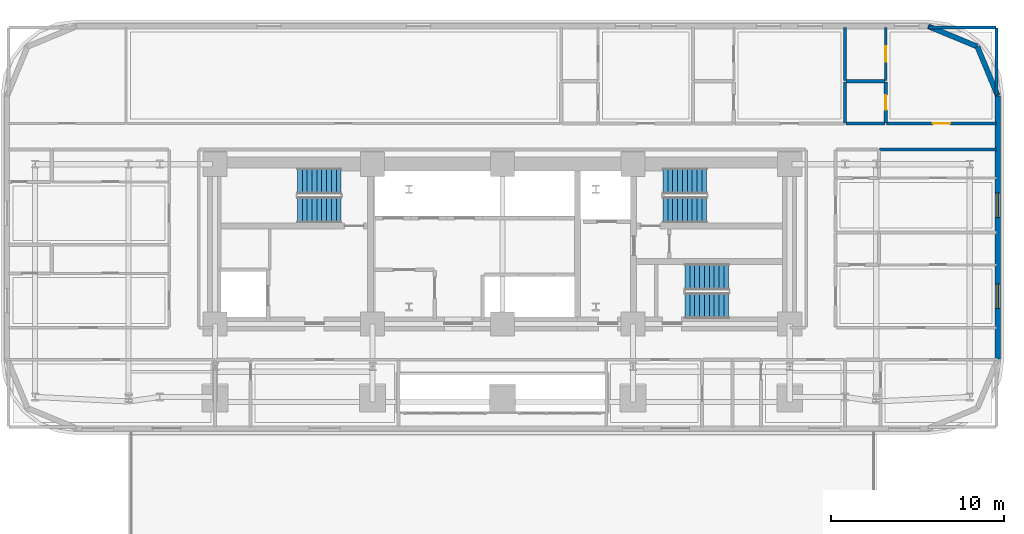
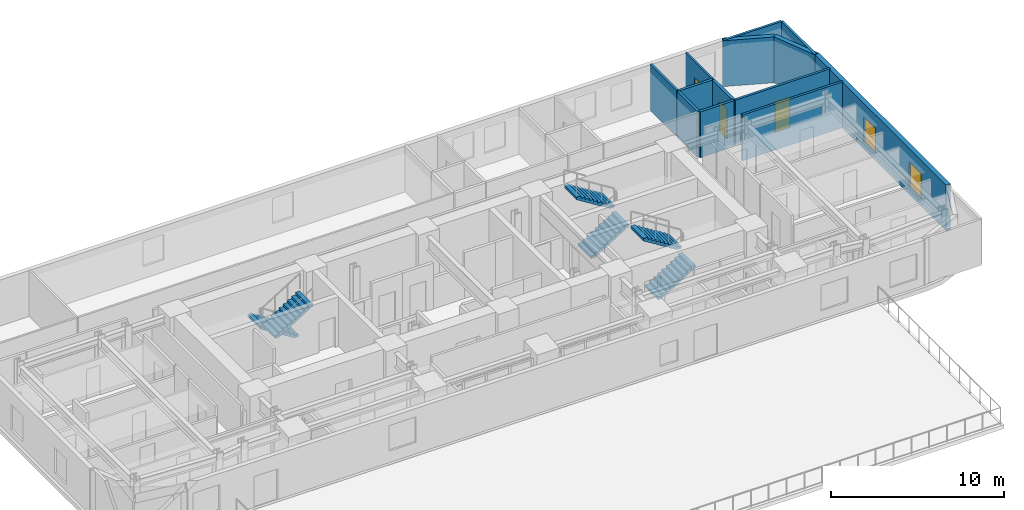
# One storey, part 11 of 15: 13 walls, 6 stair flights, 3 doors, 2 windows, 5 openings, 3 elements without a shape of their own.
"""IFC4 building model written with IfcOpenShell, lengths in metres."""

from ifc_helpers import new_model, si_unit, direction, frame, frame_2d, origin, place, context, subcontext, project, spatial, polyline, rectangle, outline, extrude, material, layer, layer_set, type_object, element, fill, aggregate, save


model = new_model("IFC4")

# Units and contexts
model_context = context("Model", 3, precision=1e-05, world=origin(), true_north=direction((0.0, 1.0)))
body_context = subcontext(model_context, "Body", "Model", "MODEL_VIEW")
ifc_project = project(units=[si_unit("LENGTHUNIT", "METRE"), si_unit("AREAUNIT", "SQUARE_METRE"), si_unit("VOLUMEUNIT", "CUBIC_METRE"), si_unit("PLANEANGLEUNIT", "RADIAN"), si_unit("MASSUNIT", "GRAM", prefix="KILO")], contexts=[model_context])

# Site, building, storey
site_placement = place(None, origin())
site = spatial("IfcSite", under=ifc_project, at=site_placement, CompositionType="ELEMENT")
building_placement = place(site_placement, origin())
building = spatial("IfcBuilding", under=site, at=building_placement, Name="Zarnavel Station Tower", CompositionType="ELEMENT")
storey_placement = place(building_placement, frame((0.0, 0.0, 29.0)))
storey = spatial("IfcBuildingStorey", under=building, at=storey_placement, Name="L07", CompositionType="ELEMENT", Elevation=29.0)

# Wall, openings, windows
ifc_material_1 = material(Name="Precast concrete C45/55 (Dark Basalt Finish)", Category="masonry")
ifc_layer_1 = layer(ifc_material_1, 0.300048828125)
ifc_layer_set_1 = layer_set([ifc_layer_1], Name="EW_BASALT_300")
wall_type_1 = type_object("IfcWallType", Name="EW_BASALT_300", PredefinedType="SOLIDWALL", material=ifc_layer_set_1)
wall_1_placement = place(storey_placement, frame((57.419921875, 41.0, 0.0), z_axis=(0.0, 0.0, 1.0), x_axis=(0.0, -1.0, 0.0)))
wall_1 = element("IfcWall", 1, at=wall_1_placement, inside=storey, type_object=wall_type_1, Name="L07 Exterior Basalt Masonry Frame Wall 03", PredefinedType="SOLIDWALL", context=body_context, shape_type="SweptSolid", body=[
    extrude(rectangle(XDim=15.199951171875, YDim=0.300048828125, at=frame_2d((7.60009765625, 0.0))), origin(), (0.0, 0.0, 1.0), 3.239990234375),
])
opening_1_placement = place(wall_1_placement, frame((10.882080078125, 0.0, 0.47998046875)))
opening_1 = element("IfcOpeningElement", 2, at=opening_1_placement, cuts=wall_1, Name="Opening WN01", PredefinedType="OPENING", context=body_context, shape_type="SweptSolid", body=[
    extrude(rectangle(XDim=1.39990234375, YDim=1.800048828125, at=frame_2d((0.699951171875, 0.89990234375))), frame((0.0, 0.159912109375, 0.0), z_axis=(0.0, -1.0, 0.0), x_axis=(1.0, 0.0, 0.0)), (0.0, 0.0, 1.0), 0.320068359375),
])
opening_2_placement = place(wall_1_placement, frame((5.62060546875, 0.0, 0.47998046875)))
opening_2 = element("IfcOpeningElement", 3, at=opening_2_placement, cuts=wall_1, Name="Opening WN01", PredefinedType="OPENING", context=body_context, shape_type="SweptSolid", body=[
    extrude(rectangle(XDim=1.39990234375, YDim=1.800048828125, at=frame_2d((0.699951171875, 0.89990234375))), frame((0.0, 0.159912109375, 0.0), z_axis=(0.0, -1.0, 0.0), x_axis=(1.0, 0.0, 0.0)), (0.0, 0.0, 1.0), 0.320068359375),
])
ifc_material_2 = material(Name="Thermally Broken Black Aluminium and Low-E Dark Glass", Category="aluminium")
window_type = type_object("IfcWindowType", Name="WN_1400x1800", PartitioningType="DOUBLE_PANEL_VERTICAL", PredefinedType="WINDOW", material=ifc_material_2)
window_1_placement = place(opening_1_placement, origin())
window_1 = element("IfcWindow", 4, at=window_1_placement, inside=storey, type_object=window_type, Name="L07 Recessed Facade Window 01", OverallHeight=1.800048828125, OverallWidth=1.39990234375, PartitioningType="SINGLE_PANEL", PredefinedType="WINDOW", context=body_context, shape_type="SweptSolid", body=[
    extrude(rectangle(XDim=1.39990234375, YDim=1.800048828125, at=frame_2d((0.699951171875, 0.89990234375))), frame((0.0, 0.030029296875, 0.0), z_axis=(0.0, -1.0, 0.0), x_axis=(1.0, 0.0, 0.0)), (0.0, 0.0, 1.0), 0.06005859375),
])
fill(opening_1, window_1)
window_2_placement = place(opening_2_placement, origin())
window_2 = element("IfcWindow", 5, at=window_2_placement, inside=storey, type_object=window_type, Name="L07 Recessed Facade Window 02", OverallHeight=1.800048828125, OverallWidth=1.39990234375, PartitioningType="SINGLE_PANEL", PredefinedType="WINDOW", context=body_context, shape_type="SweptSolid", body=[
    extrude(rectangle(XDim=1.39990234375, YDim=1.800048828125, at=frame_2d((0.699951171875, 0.89990234375))), frame((0.0, 0.030029296875, 0.0), z_axis=(0.0, -1.0, 0.0), x_axis=(1.0, 0.0, 0.0)), (0.0, 0.0, 1.0), 0.06005859375),
])
fill(opening_2, window_2)

# Walls
wall_2_placement = place(storey_placement, frame((56.24267578125, 43.842529296875, 0.0), z_axis=(0.0, 0.0, 1.0), x_axis=(0.382636798336, -0.92389884758, 0.0)))
element("IfcWall", 6, at=wall_2_placement, inside=storey, type_object=wall_type_1, Name="L07 Exterior Basalt Masonry Frame Wall 04", PredefinedType="SOLIDWALL", context=body_context, shape_type="SweptSolid", body=[
    extrude(rectangle(XDim=3.07666015625, YDim=0.300048828125, at=frame_2d((1.538330078125, 0.0))), origin(), (0.0, 0.0, 1.0), 3.239990234375),
])
wall_3_placement = place(storey_placement, frame((53.39990234375, 45.02001953125, 0.0), z_axis=(0.0, 0.0, 1.0), x_axis=(0.923882414032, -0.382676475685, 0.0)))
element("IfcWall", 7, at=wall_3_placement, inside=storey, type_object=wall_type_1, Name="L07 Exterior Basalt Masonry Frame Wall 05", PredefinedType="SOLIDWALL", context=body_context, shape_type="SweptSolid", body=[
    extrude(rectangle(XDim=3.076904296875, YDim=0.300048828125, at=frame_2d((1.53857421875, 0.0))), origin(), (0.0, 0.0, 1.0), 3.239990234375),
])
ifc_material_3 = material(Name="Gypsum Twin-Stud Acoustic Fire Partition", Category="concrete")
ifc_layer_2 = layer(ifc_material_3, 0.159912109375)
ifc_layer_set_2 = layer_set([ifc_layer_2], Name="PT_DEMISE_160")
wall_type_2 = type_object("IfcWallType", Name="PT_DEMISE_160", PredefinedType="PARTITIONING", material=ifc_layer_set_2)
wall_4_placement = place(storey_placement, frame((50.590087890625, 37.89990234375, 0.0), z_axis=(0.0, 0.0, 1.0), x_axis=(1.0, 0.0, 0.0)))
element("IfcWall", 8, at=wall_4_placement, inside=storey, type_object=wall_type_2, Name="L07 Partition COR-N-FNE2S", PredefinedType="PARTITIONING", context=body_context, shape_type="SweptSolid", body=[
    extrude(rectangle(XDim=6.75, YDim=0.159912109375, at=frame_2d((3.375, 0.0))), origin(), (0.0, 0.0, 1.0), 3.239990234375),
])

# Wall, opening, door
wall_5_placement = place(storey_placement, frame((50.989990234375, 39.39990234375, 0.0), z_axis=(0.0, 0.0, 1.0), x_axis=(1.0, 0.0, 0.0)))
wall_5 = element("IfcWall", 9, at=wall_5_placement, inside=storey, type_object=wall_type_2, Name="L07 Partition COR-N-HN3R", PredefinedType="PARTITIONING", context=body_context, shape_type="SweptSolid", body=[
    extrude(rectangle(XDim=6.35009765625, YDim=0.159912109375, at=frame_2d((3.175048828125, 0.0))), origin(), (0.0, 0.0, 1.0), 3.239990234375),
])
opening_3_placement = place(wall_5_placement, frame((2.675048828125, 0.0, 0.0)))
opening_3 = element("IfcOpeningElement", 10, at=opening_3_placement, cuts=wall_5, Name="Opening FD02", PredefinedType="OPENING", context=body_context, shape_type="SweptSolid", body=[
    extrude(rectangle(XDim=1.0, YDim=2.14990234375, at=frame_2d((0.5, 1.074951171875))), frame((0.0, 0.08984375, 0.0), z_axis=(0.0, -1.0, 0.0), x_axis=(1.0, 0.0, 0.0)), (0.0, 0.0, 1.0), 0.179931640625),
])
ifc_material_4 = material(Name="Painted Galvanised Steel and Hardwood Leaf", Category="steel")
door_type_1 = type_object("IfcDoorType", Name="ID_ENTRY_1000", OperationType="NOTDEFINED", PredefinedType="DOOR", material=ifc_material_4)
door_1_placement = place(opening_3_placement, origin())
door_1 = element("IfcDoor", 11, at=door_1_placement, inside=storey, type_object=door_type_1, Name="L07 Door COR-N-HN3R", OperationType="SINGLE_SWING_LEFT", OverallHeight=2.14990234375, OverallWidth=1.0, PredefinedType="DOOR", context=body_context, shape_type="SweptSolid", body=[
    extrude(rectangle(XDim=1.0, YDim=2.14990234375, at=frame_2d((0.5, 1.074951171875))), frame((0.0, 0.02490234375, 0.0), z_axis=(0.0, -1.0, 0.0), x_axis=(1.0, 0.0, 0.0)), (0.0, 0.0, 1.0), 0.050048828125),
])
fill(opening_3, door_1)

# Walls
wall_6_placement = place(storey_placement, frame((48.60009765625, 41.8779296875, 0.0), z_axis=(0.0, 0.0, 1.0), x_axis=(0.0, 1.0, 0.0)))
element("IfcWall", 12, at=wall_6_placement, inside=storey, type_object=wall_type_2, Name="L07 Partition HN2R-HN3S", PredefinedType="PARTITIONING", context=body_context, shape_type="SweptSolid", body=[
    extrude(rectangle(XDim=3.06201171875, YDim=0.159912109375, at=frame_2d((1.531005859375, 0.0))), origin(), (0.0, 0.0, 1.0), 3.239990234375),
])
wall_7_placement = place(storey_placement, frame((53.429931640625, 44.93994140625, 0.0), z_axis=(0.0, 0.0, 1.0), x_axis=(1.0, 0.0, 0.0)))
element("IfcWall", 13, at=wall_7_placement, inside=storey, type_object=wall_type_2, Name="L07 Enclosure Wall HN3R", PredefinedType="PARTITIONING", context=body_context, shape_type="SweptSolid", body=[
    extrude(rectangle(XDim=3.880126953125, YDim=0.159912109375, at=frame_2d((1.93994140625, 0.0))), origin(), (0.0, 0.0, 1.0), 3.239990234375),
])
wall_8_placement = place(storey_placement, frame((57.340087890625, 41.030029296875, 0.0), z_axis=(0.0, 0.0, 1.0), x_axis=(0.0, 1.0, 0.0)))
element("IfcWall", 14, at=wall_8_placement, inside=storey, type_object=wall_type_2, Name="L07 Enclosure Wall HN3R", PredefinedType="PARTITIONING", context=body_context, shape_type="SweptSolid", body=[
    extrude(rectangle(XDim=3.8798828125, YDim=0.159912109375, at=frame_2d((1.93994140625, 0.0))), origin(), (0.0, 0.0, 1.0), 3.239990234375),
])

# Wall, opening, door
ifc_material_5 = material(Name="Gypsum Metal-Stud Interior Partition", Category="concrete")
ifc_layer_3 = layer(ifc_material_5, 0.1201171875)
ifc_layer_set_3 = layer_set([ifc_layer_3], Name="PT_ROOM_120")
wall_type_3 = type_object("IfcWallType", Name="PT_ROOM_120", PredefinedType="PARTITIONING", material=ifc_layer_set_3)
wall_9_placement = place(storey_placement, frame((50.949951171875, 41.8779296875, 0.0), z_axis=(0.0, 0.0, 1.0), x_axis=(0.0, 1.0, 0.0)))
wall_9 = element("IfcWall", 15, at=wall_9_placement, inside=storey, type_object=wall_type_3, Name="L07 Partition HN3R-HN3S", PredefinedType="PARTITIONING", context=body_context, shape_type="SweptSolid", body=[
    extrude(rectangle(XDim=3.06201171875, YDim=0.1201171875, at=frame_2d((1.531005859375, 0.0))), origin(), (0.0, 0.0, 1.0), 3.239990234375),
])
opening_4_placement = place(wall_9_placement, frame((1.0810546875, 0.0, 0.0)))
opening_4 = element("IfcOpeningElement", 16, at=opening_4_placement, cuts=wall_9, Name="Opening ID01", PredefinedType="OPENING", context=body_context, shape_type="SweptSolid", body=[
    extrude(rectangle(XDim=0.89990234375, YDim=2.10009765625, at=frame_2d((0.449951171875, 1.050048828125))), frame((0.0, 0.070068359375, 0.0), z_axis=(0.0, -1.0, 0.0), x_axis=(1.0, 0.0, 0.0)), (0.0, 0.0, 1.0), 0.14013671875),
])
ifc_material_6 = material(Name="Painted Galvanised Steel and Hardwood Leaf", Category="steel")
door_type_2 = type_object("IfcDoorType", Name="ID_ROOM_900", OperationType="NOTDEFINED", PredefinedType="DOOR", material=ifc_material_6)
door_2_placement = place(opening_4_placement, origin())
door_2 = element("IfcDoor", 17, at=door_2_placement, inside=storey, type_object=door_type_2, Name="L07 Door HN3R-HN3S", OperationType="SINGLE_SWING_LEFT", OverallHeight=2.10009765625, OverallWidth=0.89990234375, PredefinedType="DOOR", context=body_context, shape_type="SweptSolid", body=[
    extrude(rectangle(XDim=0.89990234375, YDim=2.10009765625, at=frame_2d((0.449951171875, 1.050048828125))), frame((0.0, 0.02490234375, 0.0), z_axis=(0.0, -1.0, 0.0), x_axis=(1.0, 0.0, 0.0)), (0.0, 0.0, 1.0), 0.050048828125),
])
fill(opening_4, door_2)

# Walls
ifc_material_7 = material(Name="Moisture-Resistant Plumbing Chase Wall", Category="concrete")
ifc_layer_4 = layer(ifc_material_7, 0.179931640625)
ifc_layer_set_4 = layer_set([ifc_layer_4], Name="PW_PLUMB_180")
wall_type_4 = type_object("IfcWallType", Name="PW_PLUMB_180", PredefinedType="PLUMBINGWALL", material=ifc_layer_set_4)
wall_10_placement = place(storey_placement, frame((48.639892578125, 39.39990234375, 0.0), z_axis=(0.0, 0.0, 1.0), x_axis=(1.0, 0.0, 0.0)))
element("IfcWall", 18, at=wall_10_placement, inside=storey, type_object=wall_type_4, Name="L07 Partition COR-N-HN3B", PredefinedType="PLUMBINGWALL", context=body_context, shape_type="SweptSolid", body=[
    extrude(rectangle(XDim=2.27001953125, YDim=0.179931640625, at=frame_2d((1.135009765625, 0.0))), origin(), (0.0, 0.0, 1.0), 3.239990234375),
])
wall_11_placement = place(storey_placement, frame((48.60009765625, 39.43994140625, 0.0), z_axis=(0.0, 0.0, 1.0), x_axis=(0.0, 1.0, 0.0)))
element("IfcWall", 19, at=wall_11_placement, inside=storey, type_object=wall_type_4, Name="L07 Partition HN2R-HN3B", PredefinedType="PLUMBINGWALL", context=body_context, shape_type="SweptSolid", body=[
    extrude(rectangle(XDim=2.358154296875, YDim=0.179931640625, at=frame_2d((1.17919921875, 0.0))), origin(), (0.0, 0.0, 1.0), 3.239990234375),
])

# Wall, opening, door
wall_12_placement = place(storey_placement, frame((50.949951171875, 39.43994140625, 0.0), z_axis=(0.0, 0.0, 1.0), x_axis=(0.0, 1.0, 0.0)))
wall_12 = element("IfcWall", 20, at=wall_12_placement, inside=storey, type_object=wall_type_4, Name="L07 Partition HN3R-HN3B", PredefinedType="PLUMBINGWALL", context=body_context, shape_type="SweptSolid", body=[
    extrude(rectangle(XDim=2.358154296875, YDim=0.179931640625, at=frame_2d((1.17919921875, 0.0))), origin(), (0.0, 0.0, 1.0), 3.239990234375),
])
opening_5_placement = place(wall_12_placement, frame((0.75390625, 0.0, 0.0)))
opening_5 = element("IfcOpeningElement", 21, at=opening_5_placement, cuts=wall_12, Name="Opening ID02", PredefinedType="OPENING", context=body_context, shape_type="SweptSolid", body=[
    extrude(rectangle(XDim=0.85009765625, YDim=2.10009765625, at=frame_2d((0.425048828125, 1.050048828125))), frame((0.0, 0.099853515625, 0.0), z_axis=(0.0, -1.0, 0.0), x_axis=(1.0, 0.0, 0.0)), (0.0, 0.0, 1.0), 0.199951171875),
])
ifc_material_8 = material(Name="Painted Galvanised Steel and Hardwood Leaf", Category="steel")
door_type_3 = type_object("IfcDoorType", Name="ID_BATH_850", OperationType="NOTDEFINED", PredefinedType="DOOR", material=ifc_material_8)
door_3_placement = place(opening_5_placement, origin())
door_3 = element("IfcDoor", 22, at=door_3_placement, inside=storey, type_object=door_type_3, Name="L07 Door HN3R-HN3B", OperationType="SINGLE_SWING_RIGHT", OverallHeight=2.10009765625, OverallWidth=0.85009765625, PredefinedType="DOOR", context=body_context, shape_type="SweptSolid", body=[
    extrude(rectangle(XDim=0.85009765625, YDim=2.10009765625, at=frame_2d((0.425048828125, 1.050048828125))), frame((0.0, 0.02490234375, 0.0), z_axis=(0.0, -1.0, 0.0), x_axis=(1.0, 0.0, 0.0)), (0.0, 0.0, 1.0), 0.050048828125),
])
fill(opening_5, door_3)

# Wall
wall_13_placement = place(storey_placement, frame((48.639892578125, 41.837890625, 0.0), z_axis=(0.0, 0.0, 1.0), x_axis=(1.0, 0.0, 0.0)))
element("IfcWall", 23, at=wall_13_placement, inside=storey, type_object=wall_type_4, Name="L07 Partition HN3B-HN3S", PredefinedType="PLUMBINGWALL", context=body_context, shape_type="SweptSolid", body=[
    extrude(rectangle(XDim=2.27001953125, YDim=0.179931640625, at=frame_2d((1.135009765625, 0.0))), origin(), (0.0, 0.0, 1.0), 3.239990234375),
])

# Stair, stair flights
ifc_material_9 = material(Name="Concrete C45/55", Category="concrete")
stair_type = type_object("IfcStairType", Name="ST_CORE_150", PredefinedType="HALF_TURN_STAIR", material=ifc_material_9)
stair_1_placement = place(storey_placement, origin())
stair_1 = element("IfcStair", 24, at=stair_1_placement, inside=storey, type_object=stair_type, Name="L07 Core Exit Stair ST1", PredefinedType="HALF_TURN_STAIR")
ifc_material_10 = material(Name="Concrete C45/55", Category="concrete")
ifc_layer_5 = layer(ifc_material_10, 0.179931640625)
ifc_layer_set_5 = layer_set([ifc_layer_5], Name="ST_CORE_150_FLT")
stair_flight_type = type_object("IfcStairFlightType", Name="ST_CORE_150_FLT", PredefinedType="STRAIGHT", material=ifc_layer_set_5)
stair_flight_1_placement = place(storey_placement, frame((19.47998046875, 36.070068359375, 0.0), z_axis=(0.0, 0.0, 1.0), x_axis=(-1.0, 0.0, 0.0)))
stair_flight_1 = element("IfcStairFlight", 25, at=stair_flight_1_placement, type_object=stair_flight_type, Name="ST1 flight 1", NumberOfRisers=10, NumberOfTreads=9, PredefinedType="STRAIGHT", RiserHeight=0.175, TreadLength=0.28, context=body_context, shape_type="SweptSolid", body=[
    extrude(outline(polyline([(0.0, 0.0), (0.0, 0.175048828125), (0.280029296875, 0.175048828125), (0.280029296875, 0.35009765625), (0.56005859375, 0.35009765625), (0.56005859375, 0.52490234375), (0.840087890625, 0.52490234375), (0.840087890625, 0.699951171875), (1.1201171875, 0.699951171875), (1.1201171875, 0.875), (1.39990234375, 0.875), (1.39990234375, 1.050048828125), (1.679931640625, 1.050048828125), (1.679931640625, 1.22509765625), (1.9599609375, 1.22509765625), (1.9599609375, 1.39990234375), (2.239990234375, 1.39990234375), (2.239990234375, 1.574951171875), (2.52001953125, 1.574951171875), (2.52001953125, 1.75), (2.52001953125, 1.398193359375), (0.28271484375, 0.0), (0.0, 0.0)])), frame((0.0, 0.75, 0.0), z_axis=(0.0, -1.0, 0.0), x_axis=(1.0, 0.0, 0.0)), (0.0, 0.0, 1.0), 1.5),
])
stair_flight_2_placement = place(storey_placement, frame((16.9599609375, 34.409912109375, 1.75), z_axis=(0.0, 0.0, 1.0), x_axis=(1.0, 0.0, 0.0)))
stair_flight_2 = element("IfcStairFlight", 26, at=stair_flight_2_placement, type_object=stair_flight_type, Name="ST1 flight 2", NumberOfRisers=10, NumberOfTreads=9, PredefinedType="STRAIGHT", RiserHeight=0.175, TreadLength=0.28, context=body_context, shape_type="SweptSolid", body=[
    extrude(outline(polyline([(0.0, 0.0), (0.0, 0.175048828125), (0.280029296875, 0.175048828125), (0.280029296875, 0.35009765625), (0.56005859375, 0.35009765625), (0.56005859375, 0.52490234375), (0.840087890625, 0.52490234375), (0.840087890625, 0.699951171875), (1.1201171875, 0.699951171875), (1.1201171875, 0.875), (1.39990234375, 0.875), (1.39990234375, 1.050048828125), (1.679931640625, 1.050048828125), (1.679931640625, 1.22509765625), (1.9599609375, 1.22509765625), (1.9599609375, 1.39990234375), (2.239990234375, 1.39990234375), (2.239990234375, 1.574951171875), (2.52001953125, 1.574951171875), (2.52001953125, 1.75), (2.52001953125, 1.398193359375), (0.28271484375, 0.0), (0.0, 0.0)])), frame((0.0, 0.75, 0.0), z_axis=(0.0, -1.0, 0.0), x_axis=(1.0, 0.0, 0.0)), (0.0, 0.0, 1.0), 1.5),
])
aggregate(stair_1, [stair_flight_1, stair_flight_2])

stair_2_placement = place(storey_placement, origin())
stair_2 = element("IfcStair", 27, at=stair_2_placement, inside=storey, type_object=stair_type, Name="L07 Core Exit Stair ST2", PredefinedType="HALF_TURN_STAIR")
stair_flight_3_placement = place(storey_placement, frame((38.080078125, 34.409912109375, 0.0), z_axis=(0.0, 0.0, 1.0), x_axis=(1.0, 0.0, 0.0)))
stair_flight_3 = element("IfcStairFlight", 28, at=stair_flight_3_placement, type_object=stair_flight_type, Name="ST2 flight 1", NumberOfRisers=10, NumberOfTreads=9, PredefinedType="STRAIGHT", RiserHeight=0.175, TreadLength=0.28, context=body_context, shape_type="SweptSolid", body=[
    extrude(outline(polyline([(0.0, 0.0), (0.0, 0.175048828125), (0.280029296875, 0.175048828125), (0.280029296875, 0.35009765625), (0.56005859375, 0.35009765625), (0.56005859375, 0.52490234375), (0.840087890625, 0.52490234375), (0.840087890625, 0.699951171875), (1.1201171875, 0.699951171875), (1.1201171875, 0.875), (1.39990234375, 0.875), (1.39990234375, 1.050048828125), (1.679931640625, 1.050048828125), (1.679931640625, 1.22509765625), (1.9599609375, 1.22509765625), (1.9599609375, 1.39990234375), (2.239990234375, 1.39990234375), (2.239990234375, 1.574951171875), (2.52001953125, 1.574951171875), (2.52001953125, 1.75), (2.52001953125, 1.398193359375), (0.28271484375, 0.0), (0.0, 0.0)])), frame((0.0, 0.75, 0.0), z_axis=(0.0, -1.0, 0.0), x_axis=(1.0, 0.0, 0.0)), (0.0, 0.0, 1.0), 1.5),
])
stair_flight_4_placement = place(storey_placement, frame((40.60009765625, 36.070068359375, 1.75), z_axis=(0.0, 0.0, 1.0), x_axis=(-1.0, 0.0, 0.0)))
stair_flight_4 = element("IfcStairFlight", 29, at=stair_flight_4_placement, type_object=stair_flight_type, Name="ST2 flight 2", NumberOfRisers=10, NumberOfTreads=9, PredefinedType="STRAIGHT", RiserHeight=0.175, TreadLength=0.28, context=body_context, shape_type="SweptSolid", body=[
    extrude(outline(polyline([(0.0, 0.0), (0.0, 0.175048828125), (0.280029296875, 0.175048828125), (0.280029296875, 0.35009765625), (0.56005859375, 0.35009765625), (0.56005859375, 0.52490234375), (0.840087890625, 0.52490234375), (0.840087890625, 0.699951171875), (1.1201171875, 0.699951171875), (1.1201171875, 0.875), (1.39990234375, 0.875), (1.39990234375, 1.050048828125), (1.679931640625, 1.050048828125), (1.679931640625, 1.22509765625), (1.9599609375, 1.22509765625), (1.9599609375, 1.39990234375), (2.239990234375, 1.39990234375), (2.239990234375, 1.574951171875), (2.52001953125, 1.574951171875), (2.52001953125, 1.75), (2.52001953125, 1.398193359375), (0.28271484375, 0.0), (0.0, 0.0)])), frame((0.0, 0.75, 0.0), z_axis=(0.0, -1.0, 0.0), x_axis=(1.0, 0.0, 0.0)), (0.0, 0.0, 1.0), 1.5),
])
aggregate(stair_2, [stair_flight_3, stair_flight_4])

stair_3_placement = place(storey_placement, origin())
stair_3 = element("IfcStair", 30, at=stair_3_placement, inside=storey, type_object=stair_type, Name="L07 Core Exit Stair ST3", PredefinedType="HALF_TURN_STAIR")
stair_flight_5_placement = place(storey_placement, frame((39.35009765625, 28.8701171875, 0.0), z_axis=(0.0, 0.0, 1.0), x_axis=(1.0, 0.0, 0.0)))
stair_flight_5 = element("IfcStairFlight", 31, at=stair_flight_5_placement, type_object=stair_flight_type, Name="ST3 flight 1", NumberOfRisers=10, NumberOfTreads=9, PredefinedType="STRAIGHT", RiserHeight=0.175, TreadLength=0.28, context=body_context, shape_type="SweptSolid", body=[
    extrude(outline(polyline([(0.0, 0.0), (0.0, 0.175048828125), (0.280029296875, 0.175048828125), (0.280029296875, 0.35009765625), (0.56005859375, 0.35009765625), (0.56005859375, 0.52490234375), (0.840087890625, 0.52490234375), (0.840087890625, 0.699951171875), (1.1201171875, 0.699951171875), (1.1201171875, 0.875), (1.39990234375, 0.875), (1.39990234375, 1.050048828125), (1.679931640625, 1.050048828125), (1.679931640625, 1.22509765625), (1.9599609375, 1.22509765625), (1.9599609375, 1.39990234375), (2.239990234375, 1.39990234375), (2.239990234375, 1.574951171875), (2.52001953125, 1.574951171875), (2.52001953125, 1.75), (2.52001953125, 1.398193359375), (0.28271484375, 0.0), (0.0, 0.0)])), frame((0.0, 0.75, 0.0), z_axis=(0.0, -1.0, 0.0), x_axis=(1.0, 0.0, 0.0)), (0.0, 0.0, 1.0), 1.5),
])
stair_flight_6_placement = place(storey_placement, frame((41.8701171875, 30.530029296875, 1.75), z_axis=(0.0, 0.0, 1.0), x_axis=(-1.0, 0.0, 0.0)))
stair_flight_6 = element("IfcStairFlight", 32, at=stair_flight_6_placement, type_object=stair_flight_type, Name="ST3 flight 2", NumberOfRisers=10, NumberOfTreads=9, PredefinedType="STRAIGHT", RiserHeight=0.175, TreadLength=0.28, context=body_context, shape_type="SweptSolid", body=[
    extrude(outline(polyline([(0.0, 0.0), (0.0, 0.175048828125), (0.280029296875, 0.175048828125), (0.280029296875, 0.35009765625), (0.56005859375, 0.35009765625), (0.56005859375, 0.52490234375), (0.840087890625, 0.52490234375), (0.840087890625, 0.699951171875), (1.1201171875, 0.699951171875), (1.1201171875, 0.875), (1.39990234375, 0.875), (1.39990234375, 1.050048828125), (1.679931640625, 1.050048828125), (1.679931640625, 1.22509765625), (1.9599609375, 1.22509765625), (1.9599609375, 1.39990234375), (2.239990234375, 1.39990234375), (2.239990234375, 1.574951171875), (2.52001953125, 1.574951171875), (2.52001953125, 1.75), (2.52001953125, 1.398193359375), (0.28271484375, 0.0), (0.0, 0.0)])), frame((0.0, 0.75, 0.0), z_axis=(0.0, -1.0, 0.0), x_axis=(1.0, 0.0, 0.0)), (0.0, 0.0, 1.0), 1.5),
])
aggregate(stair_3, [stair_flight_5, stair_flight_6])

save(model, "model.ifc")
